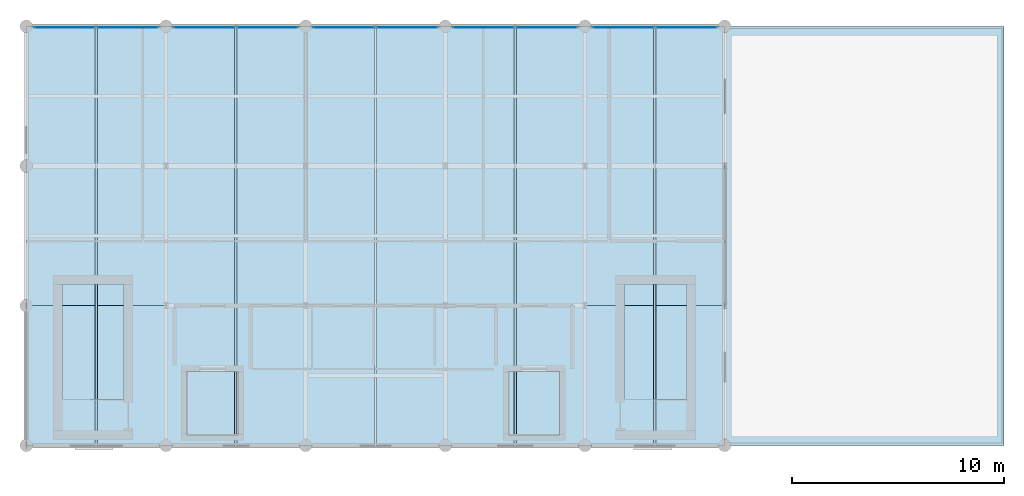
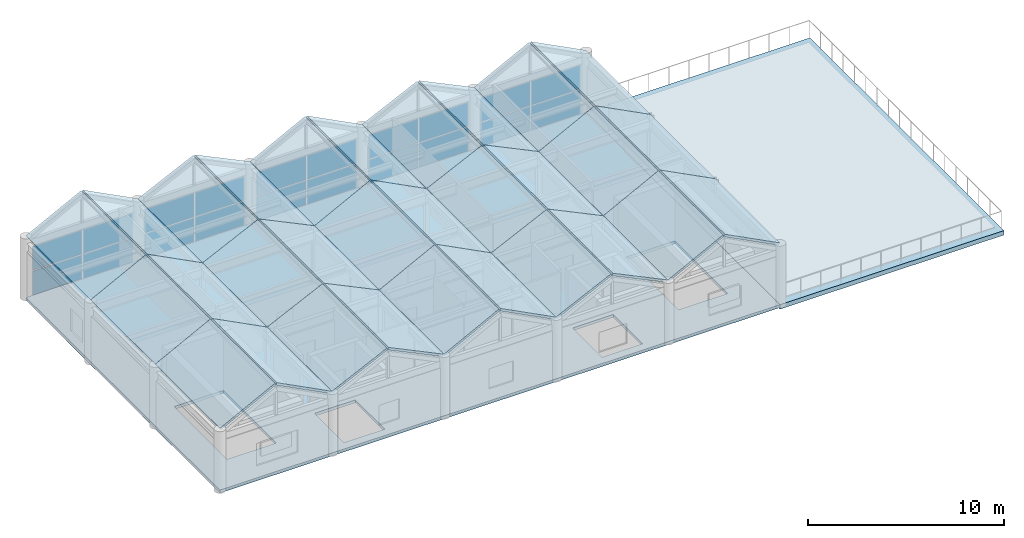
# One storey, part 15 of 21: 32 slabs, 20 plates, 5 elements without a shape of their own.
"""IFC4 building model written with IfcOpenShell, lengths in metres."""

from ifc_helpers import new_model, si_unit, direction, frame, origin, origin_2d, place, context, subcontext, project, spatial, polyline, rectangle, outline, extrude, material, layer, layer_set, type_object, element, aggregate, save


model = new_model("IFC4")

# Units and contexts
model_context = context("Model", 3, precision=1e-05, world=origin(), true_north=direction((0.0, 1.0)))
body_context = subcontext(model_context, "Body", "Model", "MODEL_VIEW")
ifc_project = project(units=[si_unit("LENGTHUNIT", "METRE"), si_unit("AREAUNIT", "SQUARE_METRE"), si_unit("VOLUMEUNIT", "CUBIC_METRE"), si_unit("PLANEANGLEUNIT", "RADIAN"), si_unit("MASSUNIT", "GRAM", prefix="KILO")], contexts=[model_context])

# Site, building, storey
site_placement = place(None, origin())
site = spatial("IfcSite", under=ifc_project, at=site_placement, CompositionType="ELEMENT")
building_placement = place(site_placement, origin())
building = spatial("IfcBuilding", under=site, at=building_placement, Name="Karori Crest Natural Sciences Institute", CompositionType="ELEMENT")
storey_placement = place(building_placement, frame((0.0, 0.0, 42.0)))
storey = spatial("IfcBuildingStorey", under=building, at=storey_placement, Name="L10", CompositionType="ELEMENT", Elevation=42.0)

# Curtain wall, plates
ifc_material_1 = material(Name="Anodised architectural aluminium 6063-T6", Category="aluminium")
curtain_wall_type = type_object("IfcCurtainWallType", Name="CWT-20", PredefinedType="NOTDEFINED", material=ifc_material_1)
curtain_wall_1_placement = place(storey_placement, origin())
curtain_wall_1 = element("IfcCurtainWall", 1, at=curtain_wall_1_placement, inside=storey, type_object=curtain_wall_type, Name="Curtain wall CW-0379", PredefinedType="NOTDEFINED")
ifc_material_2 = material(Name="Double low-E laminated glass", Category="glass")
ifc_layer_1 = layer(ifc_material_2, 0.02392578125, Name="Double low-E laminated glass")
ifc_layer_set_1 = layer_set([ifc_layer_1], Name="Double low-E laminated glass")
plate_type = type_object("IfcPlateType", Name="CWP-01", PredefinedType="CURTAIN_PANEL", material=ifc_layer_set_1)
plate_1_placement = place(storey_placement, frame((105.415283203125, 20.5400390625, 0.06005859375), z_axis=(0.0, 0.0, 1.0), x_axis=(1.0, 0.0, 0.0)))
plate_1 = element("IfcPlate", 2, at=plate_1_placement, type_object=plate_type, Name="CW-0379 panel 1.1", PredefinedType="CURTAIN_PANEL", context=body_context, shape_type="SweptSolid", body=[
    extrude(rectangle(XDim=2.904541015625, YDim=0.02392578125, at=origin_2d()), origin(), (0.0, 0.0, 1.0), 1.487548828125),
])
plate_2_placement = place(storey_placement, frame((105.415283203125, 20.5400390625, 1.607421875), z_axis=(0.0, 0.0, 1.0), x_axis=(1.0, 0.0, 0.0)))
plate_2 = element("IfcPlate", 3, at=plate_2_placement, type_object=plate_type, Name="CW-0379 panel 1.2", PredefinedType="CURTAIN_PANEL", context=body_context, shape_type="SweptSolid", body=[
    extrude(rectangle(XDim=2.904541015625, YDim=0.02392578125, at=origin_2d()), origin(), (0.0, 0.0, 1.0), 1.487548828125),
])
plate_3_placement = place(storey_placement, frame((108.384765625, 20.5400390625, 0.06005859375), z_axis=(0.0, 0.0, 1.0), x_axis=(1.0, 0.0, 0.0)))
plate_3 = element("IfcPlate", 4, at=plate_3_placement, type_object=plate_type, Name="CW-0379 panel 2.1", PredefinedType="CURTAIN_PANEL", context=body_context, shape_type="SweptSolid", body=[
    extrude(rectangle(XDim=2.904541015625, YDim=0.02392578125, at=origin_2d()), origin(), (0.0, 0.0, 1.0), 1.487548828125),
])
plate_4_placement = place(storey_placement, frame((108.384765625, 20.5400390625, 1.607421875), z_axis=(0.0, 0.0, 1.0), x_axis=(1.0, 0.0, 0.0)))
plate_4 = element("IfcPlate", 5, at=plate_4_placement, type_object=plate_type, Name="CW-0379 panel 2.2", PredefinedType="CURTAIN_PANEL", context=body_context, shape_type="SweptSolid", body=[
    extrude(rectangle(XDim=2.904541015625, YDim=0.02392578125, at=origin_2d()), origin(), (0.0, 0.0, 1.0), 1.487548828125),
])
aggregate(curtain_wall_1, [plate_1, plate_2, plate_3, plate_4])

curtain_wall_2_placement = place(storey_placement, origin())
curtain_wall_2 = element("IfcCurtainWall", 6, at=curtain_wall_2_placement, inside=storey, type_object=curtain_wall_type, Name="Curtain wall CW-0380", PredefinedType="NOTDEFINED")
plate_5_placement = place(storey_placement, frame((112.01513671875, 20.5400390625, 0.06005859375), z_axis=(0.0, 0.0, 1.0), x_axis=(1.0, 0.0, 0.0)))
plate_5 = element("IfcPlate", 7, at=plate_5_placement, type_object=plate_type, Name="CW-0380 panel 1.1", PredefinedType="CURTAIN_PANEL", context=body_context, shape_type="SweptSolid", body=[
    extrude(rectangle(XDim=2.904541015625, YDim=0.02392578125, at=origin_2d()), origin(), (0.0, 0.0, 1.0), 1.487548828125),
])
plate_6_placement = place(storey_placement, frame((112.01513671875, 20.5400390625, 1.607421875), z_axis=(0.0, 0.0, 1.0), x_axis=(1.0, 0.0, 0.0)))
plate_6 = element("IfcPlate", 8, at=plate_6_placement, type_object=plate_type, Name="CW-0380 panel 1.2", PredefinedType="CURTAIN_PANEL", context=body_context, shape_type="SweptSolid", body=[
    extrude(rectangle(XDim=2.904541015625, YDim=0.02392578125, at=origin_2d()), origin(), (0.0, 0.0, 1.0), 1.487548828125),
])
plate_7_placement = place(storey_placement, frame((114.98486328125, 20.5400390625, 0.06005859375), z_axis=(0.0, 0.0, 1.0), x_axis=(1.0, 0.0, 0.0)))
plate_7 = element("IfcPlate", 9, at=plate_7_placement, type_object=plate_type, Name="CW-0380 panel 2.1", PredefinedType="CURTAIN_PANEL", context=body_context, shape_type="SweptSolid", body=[
    extrude(rectangle(XDim=2.904541015625, YDim=0.02392578125, at=origin_2d()), origin(), (0.0, 0.0, 1.0), 1.487548828125),
])
plate_8_placement = place(storey_placement, frame((114.98486328125, 20.5400390625, 1.607421875), z_axis=(0.0, 0.0, 1.0), x_axis=(1.0, 0.0, 0.0)))
plate_8 = element("IfcPlate", 10, at=plate_8_placement, type_object=plate_type, Name="CW-0380 panel 2.2", PredefinedType="CURTAIN_PANEL", context=body_context, shape_type="SweptSolid", body=[
    extrude(rectangle(XDim=2.904541015625, YDim=0.02392578125, at=origin_2d()), origin(), (0.0, 0.0, 1.0), 1.487548828125),
])
aggregate(curtain_wall_2, [plate_5, plate_6, plate_7, plate_8])

curtain_wall_3_placement = place(storey_placement, origin())
curtain_wall_3 = element("IfcCurtainWall", 11, at=curtain_wall_3_placement, inside=storey, type_object=curtain_wall_type, Name="Curtain wall CW-0381", PredefinedType="NOTDEFINED")
plate_9_placement = place(storey_placement, frame((118.615234375, 20.5400390625, 0.06005859375), z_axis=(0.0, 0.0, 1.0), x_axis=(1.0, 0.0, 0.0)))
plate_9 = element("IfcPlate", 12, at=plate_9_placement, type_object=plate_type, Name="CW-0381 panel 1.1", PredefinedType="CURTAIN_PANEL", context=body_context, shape_type="SweptSolid", body=[
    extrude(rectangle(XDim=2.904541015625, YDim=0.02392578125, at=origin_2d()), origin(), (0.0, 0.0, 1.0), 1.487548828125),
])
plate_10_placement = place(storey_placement, frame((118.615234375, 20.5400390625, 1.607421875), z_axis=(0.0, 0.0, 1.0), x_axis=(1.0, 0.0, 0.0)))
plate_10 = element("IfcPlate", 13, at=plate_10_placement, type_object=plate_type, Name="CW-0381 panel 1.2", PredefinedType="CURTAIN_PANEL", context=body_context, shape_type="SweptSolid", body=[
    extrude(rectangle(XDim=2.904541015625, YDim=0.02392578125, at=origin_2d()), origin(), (0.0, 0.0, 1.0), 1.487548828125),
])
plate_11_placement = place(storey_placement, frame((121.584716796875, 20.5400390625, 0.06005859375), z_axis=(0.0, 0.0, 1.0), x_axis=(1.0, 0.0, 0.0)))
plate_11 = element("IfcPlate", 14, at=plate_11_placement, type_object=plate_type, Name="CW-0381 panel 2.1", PredefinedType="CURTAIN_PANEL", context=body_context, shape_type="SweptSolid", body=[
    extrude(rectangle(XDim=2.904541015625, YDim=0.02392578125, at=origin_2d()), origin(), (0.0, 0.0, 1.0), 1.487548828125),
])
plate_12_placement = place(storey_placement, frame((121.584716796875, 20.5400390625, 1.607421875), z_axis=(0.0, 0.0, 1.0), x_axis=(1.0, 0.0, 0.0)))
plate_12 = element("IfcPlate", 15, at=plate_12_placement, type_object=plate_type, Name="CW-0381 panel 2.2", PredefinedType="CURTAIN_PANEL", context=body_context, shape_type="SweptSolid", body=[
    extrude(rectangle(XDim=2.904541015625, YDim=0.02392578125, at=origin_2d()), origin(), (0.0, 0.0, 1.0), 1.487548828125),
])
aggregate(curtain_wall_3, [plate_9, plate_10, plate_11, plate_12])

curtain_wall_4_placement = place(storey_placement, origin())
curtain_wall_4 = element("IfcCurtainWall", 16, at=curtain_wall_4_placement, inside=storey, type_object=curtain_wall_type, Name="Curtain wall CW-0382", PredefinedType="NOTDEFINED")
plate_13_placement = place(storey_placement, frame((125.21533203125, 20.5400390625, 0.06005859375), z_axis=(0.0, 0.0, 1.0), x_axis=(1.0, 0.0, 0.0)))
plate_13 = element("IfcPlate", 17, at=plate_13_placement, type_object=plate_type, Name="CW-0382 panel 1.1", PredefinedType="CURTAIN_PANEL", context=body_context, shape_type="SweptSolid", body=[
    extrude(rectangle(XDim=2.904541015625, YDim=0.02392578125, at=origin_2d()), origin(), (0.0, 0.0, 1.0), 1.487548828125),
])
plate_14_placement = place(storey_placement, frame((125.21533203125, 20.5400390625, 1.607421875), z_axis=(0.0, 0.0, 1.0), x_axis=(1.0, 0.0, 0.0)))
plate_14 = element("IfcPlate", 18, at=plate_14_placement, type_object=plate_type, Name="CW-0382 panel 1.2", PredefinedType="CURTAIN_PANEL", context=body_context, shape_type="SweptSolid", body=[
    extrude(rectangle(XDim=2.904541015625, YDim=0.02392578125, at=origin_2d()), origin(), (0.0, 0.0, 1.0), 1.487548828125),
])
plate_15_placement = place(storey_placement, frame((128.184814453125, 20.5400390625, 0.06005859375), z_axis=(0.0, 0.0, 1.0), x_axis=(1.0, 0.0, 0.0)))
plate_15 = element("IfcPlate", 19, at=plate_15_placement, type_object=plate_type, Name="CW-0382 panel 2.1", PredefinedType="CURTAIN_PANEL", context=body_context, shape_type="SweptSolid", body=[
    extrude(rectangle(XDim=2.904541015625, YDim=0.02392578125, at=origin_2d()), origin(), (0.0, 0.0, 1.0), 1.487548828125),
])
plate_16_placement = place(storey_placement, frame((128.184814453125, 20.5400390625, 1.607421875), z_axis=(0.0, 0.0, 1.0), x_axis=(1.0, 0.0, 0.0)))
plate_16 = element("IfcPlate", 20, at=plate_16_placement, type_object=plate_type, Name="CW-0382 panel 2.2", PredefinedType="CURTAIN_PANEL", context=body_context, shape_type="SweptSolid", body=[
    extrude(rectangle(XDim=2.904541015625, YDim=0.02392578125, at=origin_2d()), origin(), (0.0, 0.0, 1.0), 1.487548828125),
])
aggregate(curtain_wall_4, [plate_13, plate_14, plate_15, plate_16])

curtain_wall_5_placement = place(storey_placement, origin())
curtain_wall_5 = element("IfcCurtainWall", 21, at=curtain_wall_5_placement, inside=storey, type_object=curtain_wall_type, Name="Curtain wall CW-0383", PredefinedType="NOTDEFINED")
plate_17_placement = place(storey_placement, frame((131.815185546875, 20.5400390625, 0.06005859375), z_axis=(0.0, 0.0, 1.0), x_axis=(1.0, 0.0, 0.0)))
plate_17 = element("IfcPlate", 22, at=plate_17_placement, type_object=plate_type, Name="CW-0383 panel 1.1", PredefinedType="CURTAIN_PANEL", context=body_context, shape_type="SweptSolid", body=[
    extrude(rectangle(XDim=2.904541015625, YDim=0.02392578125, at=origin_2d()), origin(), (0.0, 0.0, 1.0), 1.487548828125),
])
plate_18_placement = place(storey_placement, frame((131.815185546875, 20.5400390625, 1.607421875), z_axis=(0.0, 0.0, 1.0), x_axis=(1.0, 0.0, 0.0)))
plate_18 = element("IfcPlate", 23, at=plate_18_placement, type_object=plate_type, Name="CW-0383 panel 1.2", PredefinedType="CURTAIN_PANEL", context=body_context, shape_type="SweptSolid", body=[
    extrude(rectangle(XDim=2.904541015625, YDim=0.02392578125, at=origin_2d()), origin(), (0.0, 0.0, 1.0), 1.487548828125),
])
plate_19_placement = place(storey_placement, frame((134.78466796875, 20.5400390625, 0.06005859375), z_axis=(0.0, 0.0, 1.0), x_axis=(1.0, 0.0, 0.0)))
plate_19 = element("IfcPlate", 24, at=plate_19_placement, type_object=plate_type, Name="CW-0383 panel 2.1", PredefinedType="CURTAIN_PANEL", context=body_context, shape_type="SweptSolid", body=[
    extrude(rectangle(XDim=2.904541015625, YDim=0.02392578125, at=origin_2d()), origin(), (0.0, 0.0, 1.0), 1.487548828125),
])
plate_20_placement = place(storey_placement, frame((134.78466796875, 20.5400390625, 1.607421875), z_axis=(0.0, 0.0, 1.0), x_axis=(1.0, 0.0, 0.0)))
plate_20 = element("IfcPlate", 25, at=plate_20_placement, type_object=plate_type, Name="CW-0383 panel 2.2", PredefinedType="CURTAIN_PANEL", context=body_context, shape_type="SweptSolid", body=[
    extrude(rectangle(XDim=2.904541015625, YDim=0.02392578125, at=origin_2d()), origin(), (0.0, 0.0, 1.0), 1.487548828125),
])
aggregate(curtain_wall_5, [plate_17, plate_18, plate_19, plate_20])

# Slabs
ifc_material_3 = material(Name="Concrete 40 MPa", Category="concrete")
ifc_layer_2 = layer(ifc_material_3, 0.179931640625, Name="Concrete 40 MPa")
ifc_layer_set_2 = layer_set([ifc_layer_2], Name="Concrete 40 MPa")
slab_type_1 = type_object("IfcSlabType", Name="SLT-09", PredefinedType="FLOOR", material=ifc_layer_set_2)
slab_1_placement = place(storey_placement, frame((0.0, 0.0, -0.179931640625)))
element("IfcSlab", 26, at=slab_1_placement, inside=storey, type_object=slab_type_1, Name="V5 Slab SL-0175", PredefinedType="FLOOR", context=body_context, shape_type="SweptSolid", body=[
    extrude(outline(polyline([(103.60009765625, 0.800048828125), (136.60009765625, 0.800048828125), (136.60009765625, 20.60009765625), (103.60009765625, 20.60009765625), (103.60009765625, 0.800048828125)]), holes=[polyline([(108.199951171875, 3.00048828125), (105.300048828125, 3.00048828125), (105.300048828125, 8.39990234375), (108.199951171875, 8.39990234375), (108.199951171875, 3.00048828125)]), polyline([(134.800048828125, 3.00048828125), (131.89990234375, 3.00048828125), (131.89990234375, 8.39990234375), (134.800048828125, 8.39990234375), (134.800048828125, 3.00048828125)]), polyline([(111.199951171875, 4.300048828125), (113.60009765625, 4.300048828125), (113.60009765625, 1.300048828125), (111.199951171875, 1.300048828125), (111.199951171875, 4.300048828125)]), polyline([(126.39990234375, 4.300048828125), (128.800048828125, 4.300048828125), (128.800048828125, 1.300048828125), (126.39990234375, 1.300048828125), (126.39990234375, 4.300048828125)])]), origin(), (0.0, 0.0, 1.0), 0.179931640625),
])
ifc_layer_3 = layer(ifc_material_3, 0.280029296875, Name="Concrete 40 MPa")
ifc_layer_set_3 = layer_set([ifc_layer_3], Name="Concrete 40 MPa")
slab_type_2 = type_object("IfcSlabType", Name="SLT-12", PredefinedType="ROOF", material=ifc_layer_set_3)
slab_2_placement = place(storey_placement, frame((0.0, 0.0, -0.280029296875)))
element("IfcSlab", 27, at=slab_2_placement, inside=storey, type_object=slab_type_2, Name="V5-RG Slab SL-0176", PredefinedType="ROOF", context=body_context, shape_type="SweptSolid", body=[
    extrude(outline(polyline([(136.60009765625, 0.800048828125), (149.800048828125, 0.800048828125), (149.800048828125, 20.60009765625), (136.60009765625, 20.60009765625), (136.60009765625, 0.800048828125)])), origin(), (0.0, 0.0, 1.0), 0.280029296875),
])
ifc_layer_4 = layer(ifc_material_2, 0.139892578125, Name="Double low-E laminated glass")
ifc_layer_set_4 = layer_set([ifc_layer_4], Name="Double low-E laminated glass")
slab_type_3 = type_object("IfcSlabType", Name="SLT-14", PredefinedType="ROOF", material=ifc_layer_set_4)
for number, where, z_axis, x_axis, name in (
    (28, (103.601806640625, 0.802001953125, 3.850830078125), (-0.457983804551, 0.0, 0.888960536114), (0.888960536114, 0.0, 0.457983804551), "V5-G1W Crown gable SL-0177"),
    (29, (106.95166015625, 0.802001953125, 5.5234375), (0.457983804551, 0.0, 0.888960536114), (0.888960536114, 0.0, -0.457983804551), "V5-G1E Crown gable SL-0178"),
    (30, (103.601806640625, 7.402099609375, 3.850830078125), (-0.457983804551, 0.0, 0.888960536114), (0.888960536114, 0.0, 0.457983804551), "V5-G1W Crown gable SL-0179"),
    (31, (106.95166015625, 7.402099609375, 5.5234375), (0.457983804551, 0.0, 0.888960536114), (0.888960536114, 0.0, -0.457983804551), "V5-G1E Crown gable SL-0180"),
    (32, (103.601806640625, 14.001953125, 3.850830078125), (-0.457983804551, 0.0, 0.888960536114), (0.888960536114, 0.0, 0.457983804551), "V5-G1W Crown gable SL-0181"),
    (33, (106.95166015625, 14.001953125, 5.5234375), (0.457983804551, 0.0, 0.888960536114), (0.888960536114, 0.0, -0.457983804551), "V5-G1E Crown gable SL-0182"),
):
    element("IfcSlab", number, at=place(storey_placement, frame(where, z_axis=z_axis, x_axis=x_axis)), inside=storey, type_object=slab_type_3, Name=name, PredefinedType="ROOF", context=body_context, shape_type="SweptSolid", body=[
        extrude(outline(polyline([(0.0, 0.0), (3.652110413630277, 0.0), (3.652110413630277, 6.595947265625), (0.0, 6.595947265625), (0.0, 0.0)])), origin(), (0.0, 0.0, -1.0), 0.139892578125),
    ])
for number, where, z_axis, x_axis, name in (
    (34, (110.201904296875, 0.802001953125, 3.850830078125), (-0.431870738006, 0.0, 0.901935510807), (0.901935510807, 0.0, 0.431870738006), "V5-G2W Crown gable SL-0183"),
    (35, (113.55224609375, 0.802001953125, 5.405029296875), (0.431870738006, 0.0, 0.901935510807), (0.901935510807, 0.0, -0.431870738006), "V5-G2E Crown gable SL-0184"),
    (36, (110.201904296875, 7.402099609375, 3.850830078125), (-0.431870738006, 0.0, 0.901935510807), (0.901935510807, 0.0, 0.431870738006), "V5-G2W Crown gable SL-0185"),
    (37, (113.55224609375, 7.402099609375, 5.405029296875), (0.431870738006, 0.0, 0.901935510807), (0.901935510807, 0.0, -0.431870738006), "V5-G2E Crown gable SL-0186"),
    (38, (110.201904296875, 14.001953125, 3.850830078125), (-0.431870738006, 0.0, 0.901935510807), (0.901935510807, 0.0, 0.431870738006), "V5-G2W Crown gable SL-0187"),
    (39, (113.55224609375, 14.001953125, 5.405029296875), (0.431870738006, 0.0, 0.901935510807), (0.901935510807, 0.0, -0.431870738006), "V5-G2E Crown gable SL-0188"),
):
    element("IfcSlab", number, at=place(storey_placement, frame(where, z_axis=z_axis, x_axis=x_axis)), inside=storey, type_object=slab_type_3, Name=name, PredefinedType="ROOF", context=body_context, shape_type="SweptSolid", body=[
        extrude(outline(polyline([(0.0, 0.0), (3.5987601890432974, 0.0), (3.5987601890432974, 6.595947265625), (0.0, 6.595947265625), (0.0, 0.0)])), origin(), (0.0, 0.0, -1.0), 0.139892578125),
    ])
for number, where, z_axis, x_axis, name in (
    (40, (116.8017578125, 0.802001953125, 3.850830078125), (-0.457983804551, 0.0, 0.888960536114), (0.888960536114, 0.0, 0.457983804551), "V5-G3W Crown gable SL-0189"),
    (41, (120.151611328125, 0.802001953125, 5.5234375), (0.457983804551, 0.0, 0.888960536114), (0.888960536114, 0.0, -0.457983804551), "V5-G3E Crown gable SL-0190"),
    (42, (116.8017578125, 7.402099609375, 3.850830078125), (-0.457983804551, 0.0, 0.888960536114), (0.888960536114, 0.0, 0.457983804551), "V5-G3W Crown gable SL-0191"),
    (43, (120.151611328125, 7.402099609375, 5.5234375), (0.457983804551, 0.0, 0.888960536114), (0.888960536114, 0.0, -0.457983804551), "V5-G3E Crown gable SL-0192"),
    (44, (116.8017578125, 14.001953125, 3.850830078125), (-0.457983804551, 0.0, 0.888960536114), (0.888960536114, 0.0, 0.457983804551), "V5-G3W Crown gable SL-0193"),
    (45, (120.151611328125, 14.001953125, 5.5234375), (0.457983804551, 0.0, 0.888960536114), (0.888960536114, 0.0, -0.457983804551), "V5-G3E Crown gable SL-0194"),
):
    element("IfcSlab", number, at=place(storey_placement, frame(where, z_axis=z_axis, x_axis=x_axis)), inside=storey, type_object=slab_type_3, Name=name, PredefinedType="ROOF", context=body_context, shape_type="SweptSolid", body=[
        extrude(outline(polyline([(0.0, 0.0), (3.652110413630277, 0.0), (3.652110413630277, 6.595947265625), (0.0, 6.595947265625), (0.0, 0.0)])), origin(), (0.0, 0.0, -1.0), 0.139892578125),
    ])
slab_3_placement = place(storey_placement, frame((123.40185546875, 0.802001953125, 3.850830078125), z_axis=(-0.431870738006, 0.0, 0.901935510807), x_axis=(0.901935510807, 0.0, 0.431870738006)))
element("IfcSlab", 46, at=slab_3_placement, inside=storey, type_object=slab_type_3, Name="V5-G4W Crown gable SL-0195", PredefinedType="ROOF", context=body_context, shape_type="SweptSolid", body=[
    extrude(outline(polyline([(0.0, 0.0), (3.5987601890432974, 0.0), (3.5987601890432974, 6.595947265625), (0.0, 6.595947265625), (0.0, 0.0)])), origin(), (0.0, 0.0, -1.0), 0.139892578125),
])
slab_4_placement = place(storey_placement, frame((126.752197265625, 0.802001953125, 5.405029296875), z_axis=(0.431844314352, 0.0, 0.90194816268), x_axis=(0.90194816268, 0.0, -0.431844314352)))
element("IfcSlab", 47, at=slab_4_placement, inside=storey, type_object=slab_type_3, Name="V5-G4E Crown gable SL-0196", PredefinedType="ROOF", context=body_context, shape_type="SweptSolid", body=[
    extrude(outline(polyline([(0.0, 0.0), (3.598980389687081, 0.0), (3.598980389687081, 6.595947265625), (0.0, 6.595947265625), (0.0, 0.0)])), origin(), (0.0, 0.0, -1.0), 0.139892578125),
])
slab_5_placement = place(storey_placement, frame((123.40185546875, 7.402099609375, 3.850830078125), z_axis=(-0.431870738006, 0.0, 0.901935510807), x_axis=(0.901935510807, 0.0, 0.431870738006)))
element("IfcSlab", 48, at=slab_5_placement, inside=storey, type_object=slab_type_3, Name="V5-G4W Crown gable SL-0197", PredefinedType="ROOF", context=body_context, shape_type="SweptSolid", body=[
    extrude(outline(polyline([(0.0, 0.0), (3.5987601890432974, 0.0), (3.5987601890432974, 6.595947265625), (0.0, 6.595947265625), (0.0, 0.0)])), origin(), (0.0, 0.0, -1.0), 0.139892578125),
])
slab_6_placement = place(storey_placement, frame((126.752197265625, 7.402099609375, 5.405029296875), z_axis=(0.431844314352, 0.0, 0.90194816268), x_axis=(0.90194816268, 0.0, -0.431844314352)))
element("IfcSlab", 49, at=slab_6_placement, inside=storey, type_object=slab_type_3, Name="V5-G4E Crown gable SL-0198", PredefinedType="ROOF", context=body_context, shape_type="SweptSolid", body=[
    extrude(outline(polyline([(0.0, 0.0), (3.598980389687081, 0.0), (3.598980389687081, 6.595947265625), (0.0, 6.595947265625), (0.0, 0.0)])), origin(), (0.0, 0.0, -1.0), 0.139892578125),
])
slab_7_placement = place(storey_placement, frame((123.40185546875, 14.001953125, 3.850830078125), z_axis=(-0.431870738006, 0.0, 0.901935510807), x_axis=(0.901935510807, 0.0, 0.431870738006)))
element("IfcSlab", 50, at=slab_7_placement, inside=storey, type_object=slab_type_3, Name="V5-G4W Crown gable SL-0199", PredefinedType="ROOF", context=body_context, shape_type="SweptSolid", body=[
    extrude(outline(polyline([(0.0, 0.0), (3.5987601890432974, 0.0), (3.5987601890432974, 6.595947265625), (0.0, 6.595947265625), (0.0, 0.0)])), origin(), (0.0, 0.0, -1.0), 0.139892578125),
])
slab_8_placement = place(storey_placement, frame((126.752197265625, 14.001953125, 5.405029296875), z_axis=(0.431844314352, 0.0, 0.90194816268), x_axis=(0.90194816268, 0.0, -0.431844314352)))
element("IfcSlab", 51, at=slab_8_placement, inside=storey, type_object=slab_type_3, Name="V5-G4E Crown gable SL-0200", PredefinedType="ROOF", context=body_context, shape_type="SweptSolid", body=[
    extrude(outline(polyline([(0.0, 0.0), (3.598980389687081, 0.0), (3.598980389687081, 6.595947265625), (0.0, 6.595947265625), (0.0, 0.0)])), origin(), (0.0, 0.0, -1.0), 0.139892578125),
])
for number, where, z_axis, x_axis, name in (
    (52, (130.001708984375, 0.802001953125, 3.850830078125), (-0.457983804551, 0.0, 0.888960536114), (0.888960536114, 0.0, 0.457983804551), "V5-G5W Crown gable SL-0201"),
    (53, (133.3515625, 0.802001953125, 5.5234375), (0.457983804551, 0.0, 0.888960536114), (0.888960536114, 0.0, -0.457983804551), "V5-G5E Crown gable SL-0202"),
    (54, (130.001708984375, 7.402099609375, 3.850830078125), (-0.457983804551, 0.0, 0.888960536114), (0.888960536114, 0.0, 0.457983804551), "V5-G5W Crown gable SL-0203"),
    (55, (133.3515625, 7.402099609375, 5.5234375), (0.457983804551, 0.0, 0.888960536114), (0.888960536114, 0.0, -0.457983804551), "V5-G5E Crown gable SL-0204"),
    (56, (130.001708984375, 14.001953125, 3.850830078125), (-0.457983804551, 0.0, 0.888960536114), (0.888960536114, 0.0, 0.457983804551), "V5-G5W Crown gable SL-0205"),
    (57, (133.3515625, 14.001953125, 5.5234375), (0.457983804551, 0.0, 0.888960536114), (0.888960536114, 0.0, -0.457983804551), "V5-G5E Crown gable SL-0206"),
):
    element("IfcSlab", number, at=place(storey_placement, frame(where, z_axis=z_axis, x_axis=x_axis)), inside=storey, type_object=slab_type_3, Name=name, PredefinedType="ROOF", context=body_context, shape_type="SweptSolid", body=[
        extrude(outline(polyline([(0.0, 0.0), (3.652110413630277, 0.0), (3.652110413630277, 6.595947265625), (0.0, 6.595947265625), (0.0, 0.0)])), origin(), (0.0, 0.0, -1.0), 0.139892578125),
    ])

save(model, "model.ifc")
